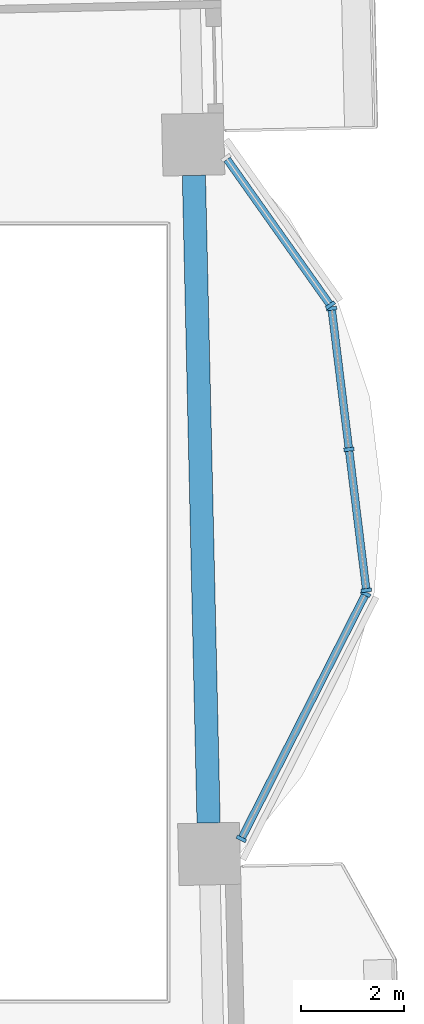
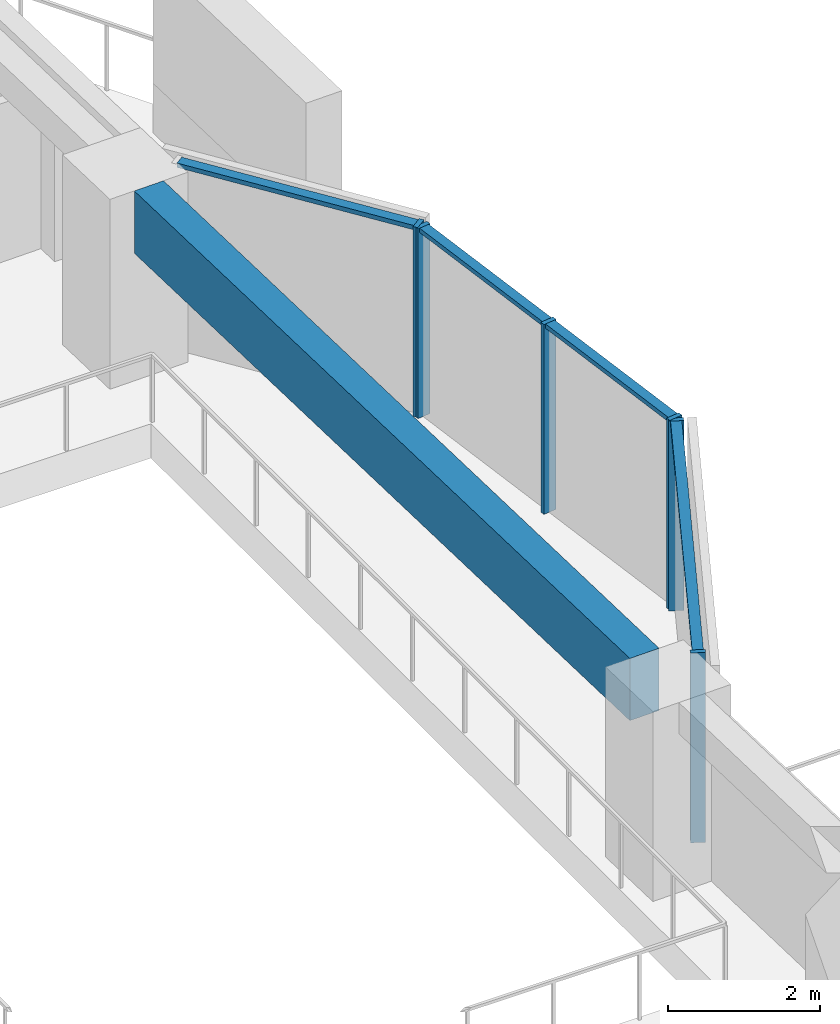
# One storey, part 2 of 16: 10 members, 1 beam, 3 elements without a shape of their own.
"""IFC4 building model written with IfcOpenShell, lengths in metres."""

import ifcopenshell
import ifcopenshell.guid

model = None  # the IFC model being written
_history = None  # IfcOwnerHistory: only IFC2X3 demands one
_inside = {}  # id of a spatial element -> (the spatial element, [elements in it])
_under = {}  # id of a project, library or spatial element -> (it, [spatial elements below it])
_declared = {}  # id of a project -> (the project, [libraries it declares])
_typed = {}  # id of a type object -> (the type object, [elements of that type])
_made_of = {}  # id of a material, layer set ... -> (it, [elements and type objects made of it])


def new_model(schema):
    """Start an empty IFC model of exactly this schema.

    Asked for "IFC4X3", IfcOpenShell would pick the latest addendum, in which some entities
    have other attributes; the version numbers below select the first issue.
    IFC2X3 requires an IfcOwnerHistory on every rooted entity: one is made here for all.
    """
    global model, _history
    if schema == "IFC4X3":
        model = ifcopenshell.file(schema_version=(4, 3, 0, 0))
    else:
        model = ifcopenshell.file(schema=schema)
    _inside.clear()
    _under.clear()
    _declared.clear()
    _typed.clear()
    _made_of.clear()
    _history = None
    if model.schema == "IFC2X3":
        org = make("IfcOrganization", Name="unknown")
        user = make(
            "IfcPersonAndOrganization",
            ThePerson=make("IfcPerson", FamilyName="unknown"),
            TheOrganization=org,
        )
        app = make(
            "IfcApplication",
            ApplicationDeveloper=org,
            Version="unknown",
            ApplicationFullName="unknown",
            ApplicationIdentifier="unknown",
        )
        _history = make(
            "IfcOwnerHistory",
            OwningUser=user,
            OwningApplication=app,
            ChangeAction="ADDED",
            CreationDate=0,
        )
    return model


def make(cls, **values):
    """One entity of the class cls with the attributes given. An attribute that is None is left unset."""
    return model.create_entity(
        cls, **{name: value for name, value in values.items() if value is not None}
    )


def rooted(cls, **values):
    """An entity with a GlobalId (a new one), such as an element, a storey or a relation."""
    return make(cls, GlobalId=ifcopenshell.guid.new(), OwnerHistory=_history, **values)


def si_unit(unit_type, name, prefix=None):
    """IfcSIUnit, for example si_unit("LENGTHUNIT", "METRE", prefix="MILLI")."""
    return make("IfcSIUnit", UnitType=unit_type, Prefix=prefix, Name=name)


def assignment(units):
    """IfcUnitAssignment: the units of a project."""
    return None if units is None else make("IfcUnitAssignment", Units=units)


def point(xyz):
    """IfcCartesianPoint."""
    return None if xyz is None else make("IfcCartesianPoint", Coordinates=xyz)


def direction(xyz):
    """IfcDirection."""
    return None if xyz is None else make("IfcDirection", DirectionRatios=xyz)


def frame(location, z_axis=None, x_axis=None):
    """IfcAxis2Placement3D, a coordinate frame: its origin and axes. An axis left out is left unset."""
    return make(
        "IfcAxis2Placement3D",
        Location=point(location),
        Axis=direction(z_axis),
        RefDirection=direction(x_axis),
    )


def frame_2d(location, x_axis=None):
    """IfcAxis2Placement2D, a coordinate frame in the plane: its origin and x axis."""
    return make(
        "IfcAxis2Placement2D", Location=point(location), RefDirection=direction(x_axis)
    )


def origin():
    """The frame at (0, 0, 0) with its axes left unset."""
    return frame((0.0, 0.0, 0.0))


def origin_2d():
    """The frame at (0, 0) in the plane with its x axis left unset."""
    return frame_2d((0.0, 0.0))


def place(relative_to, where):
    """IfcLocalPlacement: puts the frame where relative to a parent placement (None: the world)."""
    return make(
        "IfcLocalPlacement", PlacementRelTo=relative_to, RelativePlacement=where
    )


def context(
    kind, dimensions, precision=None, world=None, true_north=None, identifier=None
):
    """IfcGeometricRepresentationContext, for example the 3D "Model" context."""
    return make(
        "IfcGeometricRepresentationContext",
        ContextIdentifier=identifier,
        ContextType=kind,
        CoordinateSpaceDimension=dimensions,
        Precision=precision,
        WorldCoordinateSystem=world,
        TrueNorth=true_north,
    )


def subcontext(parent, identifier, kind, view, scale=None):
    """IfcGeometricRepresentationSubContext, for example "Body" below "Model"."""
    return make(
        "IfcGeometricRepresentationSubContext",
        ContextIdentifier=identifier,
        ContextType=kind,
        ParentContext=parent,
        TargetScale=scale,
        TargetView=view,
    )


def project(units=None, contexts=None):
    """IfcProject with its units and contexts."""
    return rooted(
        "IfcProject",
        Name="project",
        RepresentationContexts=contexts,
        UnitsInContext=assignment(units),
    )


def spatial(cls, under=None, at=None, **own):
    """A site, building, storey or space (cls), placed at a placement, below another one or the project."""
    s = rooted(cls, ObjectPlacement=at, **own)
    if under is not None:
        _under.setdefault(under.id(), (under, []))[1].append(s)
    return s


def profile(cls, at=None, kind="AREA", **sizes):
    """A parametric profile (cls). Its sizes go by their IFC names, for example OverallWidth=200.0."""
    return make(cls, ProfileType=kind, Position=at, **sizes)


def rectangle(**sizes):
    """IfcRectangleProfileDef."""
    return profile("IfcRectangleProfileDef", **sizes)


def extrude(swept, where, along, depth):
    """IfcExtrudedAreaSolid: the profile swept, set in the frame where, extruded along a direction by depth."""
    return make(
        "IfcExtrudedAreaSolid",
        SweptArea=swept,
        Position=where,
        ExtrudedDirection=direction(along),
        Depth=depth,
    )


def shape(context_of_items, identifier, shape_type, items):
    """IfcShapeRepresentation: the items that make up one representation, for example the "Body"."""
    return make(
        "IfcShapeRepresentation",
        ContextOfItems=context_of_items,
        RepresentationIdentifier=identifier,
        RepresentationType=shape_type,
        Items=items,
    )


def material(Name=None, Category=None):
    """IfcMaterial."""
    return make("IfcMaterial", Name=Name, Category=Category)


def material_profile(
    of_material, cross_section, Name=None, Category=None, Priority=None
):
    """IfcMaterialProfile: a cross section and its material."""
    return make(
        "IfcMaterialProfile",
        Name=Name,
        Material=of_material,
        Profile=cross_section,
        Priority=Priority,
        Category=Category,
    )


def profile_set(profiles, Name=None, composite=None):
    """IfcMaterialProfileSet."""
    return make(
        "IfcMaterialProfileSet",
        Name=Name,
        MaterialProfiles=profiles,
        CompositeProfile=composite,
    )


def made_of(thing, what):
    """Note that an element or type object is made of a material, layer set ...; save() writes the relation."""
    if what is not None:
        _made_of.setdefault(what.id(), (what, []))[1].append(thing)
    return thing


def type_object(cls, material=None, **own):
    """A type object (cls), such as IfcWallType, which elements share."""
    return made_of(rooted(cls, **own), material)


def element(
    cls,
    number,
    at=None,
    inside=None,
    cuts=None,
    type_object=None,
    material=None,
    context=None,
    identifier="Body",
    shape_type=None,
    held_by="IfcProductDefinitionShape",
    body=None,
    shapes=None,
    **own,
):
    """One element of the class cls, such as IfcWall. Its Tag is "e" and its number.

    at: its placement. inside: the storey or other place that contains it. cuts: it is an
    opening in that element (IfcRelVoidsElement). A single representation is given by context,
    identifier, shape_type and body (its items); several are given by shapes. held_by: the class
    of the entity that holds the representations. save() writes the other relations.
    """
    e = rooted(cls, Tag="e%d" % number, ObjectPlacement=at, **own)
    if body is not None:
        shapes = [shape(context, identifier, shape_type, body)]
    if shapes is not None:
        e.Representation = make(held_by, Representations=shapes)
    if inside is not None:
        _inside.setdefault(inside.id(), (inside, []))[1].append(e)
    if cuts is not None:
        rooted(
            "IfcRelVoidsElement", RelatingBuildingElement=cuts, RelatedOpeningElement=e
        )
    if type_object is not None:
        _typed.setdefault(type_object.id(), (type_object, []))[1].append(e)
    return made_of(e, material)


def aggregate(whole, parts):
    """IfcRelAggregates: a whole, such as a stair, and the parts it consists of."""
    return rooted("IfcRelAggregates", RelatingObject=whole, RelatedObjects=parts)


def save(model, path):
    """Write the relations noted so far, then the file.

    IfcRelAggregates (storeys below a building ...), IfcRelContainedInSpatialStructure (elements
    in a storey), IfcRelDefinesByType, IfcRelAssociatesMaterial and IfcRelDeclares: one each for
    every whole, place, type object, material and project.
    """
    for whole, parts in _under.values():
        aggregate(whole, parts)
    for where, things in _inside.values():
        rooted(
            "IfcRelContainedInSpatialStructure",
            RelatedElements=things,
            RelatingStructure=where,
        )
    for kind, things in _typed.values():
        rooted("IfcRelDefinesByType", RelatedObjects=things, RelatingType=kind)
    for what, things in _made_of.values():
        rooted("IfcRelAssociatesMaterial", RelatedObjects=things, RelatingMaterial=what)
    for by, libraries in _declared.values():
        rooted("IfcRelDeclares", RelatingContext=by, RelatedDefinitions=libraries)
    model.write(path)


model = new_model("IFC4")

# Units and contexts
model_context = context("Model", 3, precision=1e-05, world=origin(), true_north=direction((0.0, 1.0)))
body_context = subcontext(model_context, "Body", "Model", "MODEL_VIEW")
ifc_project = project(units=[si_unit("LENGTHUNIT", "METRE"), si_unit("AREAUNIT", "SQUARE_METRE"), si_unit("VOLUMEUNIT", "CUBIC_METRE"), si_unit("PLANEANGLEUNIT", "RADIAN"), si_unit("MASSUNIT", "GRAM", prefix="KILO")], contexts=[model_context])

# Site, building, storey
site_placement = place(None, origin())
site = spatial("IfcSite", under=ifc_project, at=site_placement, CompositionType="ELEMENT")
building_placement = place(site_placement, origin())
building = spatial("IfcBuilding", under=site, at=building_placement, Name="Mangrove Gate Tower", CompositionType="ELEMENT")
storey_placement = place(building_placement, frame((0.0, 0.0, 189.699951171875)))
storey = spatial("IfcBuildingStorey", under=building, at=storey_placement, Name="L48", CompositionType="ELEMENT", Elevation=189.699951171875)

# Curtain wall, members
ifc_material_1 = material(Name="Aluminium and glass curtain wall", Category="aluminium")
curtain_wall_type = type_object("IfcCurtainWallType", Name="Atrium garden-court glazing wall", PredefinedType="NOTDEFINED", material=ifc_material_1)
curtain_wall_1_placement = place(storey_placement, origin())
curtain_wall_1 = element("IfcCurtainWall", 1, at=curtain_wall_1_placement, inside=storey, type_object=curtain_wall_type, Name="Atrium garden-court glazing E1f1", PredefinedType="NOTDEFINED")
ifc_material_2 = material(Name="Aluminium alloy 6063-T6", Category="aluminium")
ifc_material_profile_1 = material_profile(ifc_material_2, rectangle(XDim=0.070068359375, YDim=0.199951171875, at=origin_2d()))
ifc_profile_set_1 = profile_set([ifc_material_profile_1], Name="Aluminium alloy 6063-T6")
member_type_1 = type_object("IfcMemberType", Name="Atrium garden-court glazing mullion 70x200", PredefinedType="MULLION", material=ifc_profile_set_1)
member_1_placement = place(storey_placement, frame((26.41015625, -4.387451171875, 0.0), z_axis=(0.0, 0.0, 1.0), x_axis=(0.452578247326, 0.891724694089, 0.0)))
member_1 = element("IfcMember", 2, at=member_1_placement, type_object=member_type_1, Name="CWA mullion 1", PredefinedType="MULLION", context=body_context, shape_type="SweptSolid", body=[
    extrude(rectangle(XDim=0.070068359375, YDim=0.199951171875, at=origin_2d()), origin(), (0.0, 0.0, 1.0), 3.050048828125),
])
member_2_placement = place(storey_placement, frame((28.8212890625, 0.363037109375, 0.0), z_axis=(0.0, 0.0, 1.0), x_axis=(0.452578247326, 0.891724694089, 0.0)))
member_2 = element("IfcMember", 3, at=member_2_placement, type_object=member_type_1, Name="CWA mullion 2", PredefinedType="MULLION", context=body_context, shape_type="SweptSolid", body=[
    extrude(rectangle(XDim=0.070068359375, YDim=0.199951171875, at=origin_2d()), origin(), (0.0, 0.0, 1.0), 3.050048828125),
])

curtain_wall_2_placement = place(storey_placement, origin())
curtain_wall_2 = element("IfcCurtainWall", 4, at=curtain_wall_2_placement, inside=storey, type_object=curtain_wall_type, Name="Atrium garden-court glazing E1f2", PredefinedType="NOTDEFINED")
member_3_placement = place(storey_placement, frame((28.8330078125, 0.428955078125, 0.0), z_axis=(0.0, 0.0, 1.0), x_axis=(-0.122172286076, 0.992508908028, 0.0)))
member_3 = element("IfcMember", 5, at=member_3_placement, type_object=member_type_1, Name="CWA mullion 1", PredefinedType="MULLION", context=body_context, shape_type="SweptSolid", body=[
    extrude(rectangle(XDim=0.070068359375, YDim=0.199951171875, at=origin_2d()), origin(), (0.0, 0.0, 1.0), 3.050048828125),
])
member_4_placement = place(storey_placement, frame((28.496826171875, 3.16015625, 0.0), z_axis=(0.0, 0.0, 1.0), x_axis=(-0.122172286076, 0.992508908028, 0.0)))
member_4 = element("IfcMember", 6, at=member_4_placement, type_object=member_type_1, Name="CWA mullion 2", PredefinedType="MULLION", context=body_context, shape_type="SweptSolid", body=[
    extrude(rectangle(XDim=0.070068359375, YDim=0.199951171875, at=origin_2d()), origin(), (0.0, 0.0, 1.0), 3.050048828125),
])
member_5_placement = place(storey_placement, frame((28.16064453125, 5.89111328125, 0.0), z_axis=(0.0, 0.0, 1.0), x_axis=(-0.122172286076, 0.992508908028, 0.0)))
member_5 = element("IfcMember", 7, at=member_5_placement, type_object=member_type_1, Name="CWA mullion 3", PredefinedType="MULLION", context=body_context, shape_type="SweptSolid", body=[
    extrude(rectangle(XDim=0.070068359375, YDim=0.199951171875, at=origin_2d()), origin(), (0.0, 0.0, 1.0), 3.050048828125),
])

# Curtain wall, member
curtain_wall_3_placement = place(storey_placement, origin())
curtain_wall_3 = element("IfcCurtainWall", 8, at=curtain_wall_3_placement, inside=storey, type_object=curtain_wall_type, Name="Atrium garden-court glazing E1f3", PredefinedType="NOTDEFINED")
member_6_placement = place(storey_placement, frame((28.135986328125, 5.95458984375, 0.0), z_axis=(0.0, 0.0, 1.0), x_axis=(-0.578106334278, 0.815961436753, 0.0)))
member_6 = element("IfcMember", 9, at=member_6_placement, type_object=member_type_1, Name="CWA mullion 1", PredefinedType="MULLION", context=body_context, shape_type="SweptSolid", body=[
    extrude(rectangle(XDim=0.070068359375, YDim=0.199951171875, at=origin_2d()), origin(), (0.0, 0.0, 1.0), 3.050048828125),
])

# Member
ifc_material_3 = material(Name="Aluminium alloy 6063-T6", Category="aluminium")
ifc_material_profile_2 = material_profile(ifc_material_3, rectangle(XDim=0.070068359375, YDim=0.14990234375, at=origin_2d()))
ifc_profile_set_2 = profile_set([ifc_material_profile_2], Name="Aluminium alloy 6063-T6")
member_type_2 = type_object("IfcMemberType", Name="Atrium garden-court glazing transom 70x150", PredefinedType="USERDEFINED", material=ifc_profile_set_2)
member_7_placement = place(storey_placement, frame((26.426025390625, -4.3564453125, 3.01513671875), z_axis=(0.452573642037, 0.891727031402, 0.0), x_axis=(0.0, 0.0, 1.0)))
member_7 = element("IfcMember", 10, at=member_7_placement, type_object=member_type_2, Name="CWA transom 1.2", ObjectType="TRANSOM", PredefinedType="USERDEFINED", context=body_context, shape_type="SweptSolid", body=[
    extrude(rectangle(XDim=0.070068359375, YDim=0.14990234375, at=origin_2d()), origin(), (0.0, 0.0, 1.0), 5.257568359375),
])

aggregate(curtain_wall_1, [member_1, member_2, member_7])

member_8_placement = place(storey_placement, frame((28.82861328125, 0.463623046875, 3.01513671875), z_axis=(-0.122174517154, 0.992508633392, 0.0), x_axis=(0.0, 0.0, 1.0)))
member_8 = element("IfcMember", 11, at=member_8_placement, type_object=member_type_2, Name="CWA transom 1.2", ObjectType="TRANSOM", PredefinedType="USERDEFINED", context=body_context, shape_type="SweptSolid", body=[
    extrude(rectangle(XDim=0.070068359375, YDim=0.14990234375, at=origin_2d()), origin(), (0.0, 0.0, 1.0), 2.681640625),
])

member_9_placement = place(storey_placement, frame((28.492431640625, 3.19482421875, 3.01513671875), z_axis=(-0.122174517154, 0.992508633392, 0.0), x_axis=(0.0, 0.0, 1.0)))
member_9 = element("IfcMember", 12, at=member_9_placement, type_object=member_type_2, Name="CWA transom 2.2", ObjectType="TRANSOM", PredefinedType="USERDEFINED", context=body_context, shape_type="SweptSolid", body=[
    extrude(rectangle(XDim=0.070068359375, YDim=0.14990234375, at=origin_2d()), origin(), (0.0, 0.0, 1.0), 2.681640625),
])

aggregate(curtain_wall_2, [member_3, member_4, member_5, member_8, member_9])

member_10_placement = place(storey_placement, frame((28.11572265625, 5.983154296875, 3.01513671875), z_axis=(-0.578094404228, 0.815969889028, 0.0), x_axis=(0.0, 0.0, 1.0)))
member_10 = element("IfcMember", 13, at=member_10_placement, type_object=member_type_2, Name="CWA transom 1.2", ObjectType="TRANSOM", PredefinedType="USERDEFINED", context=body_context, shape_type="SweptSolid", body=[
    extrude(rectangle(XDim=0.070068359375, YDim=0.14990234375, at=origin_2d()), origin(), (0.0, 0.0, 1.0), 3.427978515625),
])

aggregate(curtain_wall_3, [member_6, member_10])

# Beam
ifc_material_4 = material(Name="Concrete C50/60", Category="concrete")
ifc_material_profile_3 = material_profile(ifc_material_4, rectangle(XDim=0.449951171875, YDim=1.0, at=origin_2d()))
ifc_profile_set_3 = profile_set([ifc_material_profile_3], Name="Concrete C50/60")
beam_type = type_object("IfcBeamType", Name="Edge beam RC 450x1000 C50/60", PredefinedType="BEAM", material=ifc_profile_set_3)
beam_placement = place(storey_placement, frame((25.776611328125, -4.078857421875, 2.550048828125), z_axis=(-0.022699313353, 0.999742337392, 0.0), x_axis=(-0.999742337392, -0.022699313353, 0.0)))
element("IfcBeam", 14, at=beam_placement, inside=storey, type_object=beam_type, Name="Edge beam L48 14", PredefinedType="BEAM", context=body_context, shape_type="SweptSolid", body=[
    extrude(rectangle(XDim=0.449951171875, YDim=1.0, at=origin_2d()), origin(), (0.0, 0.0, 1.0), 12.551513671875),
])

save(model, "model.ifc")
